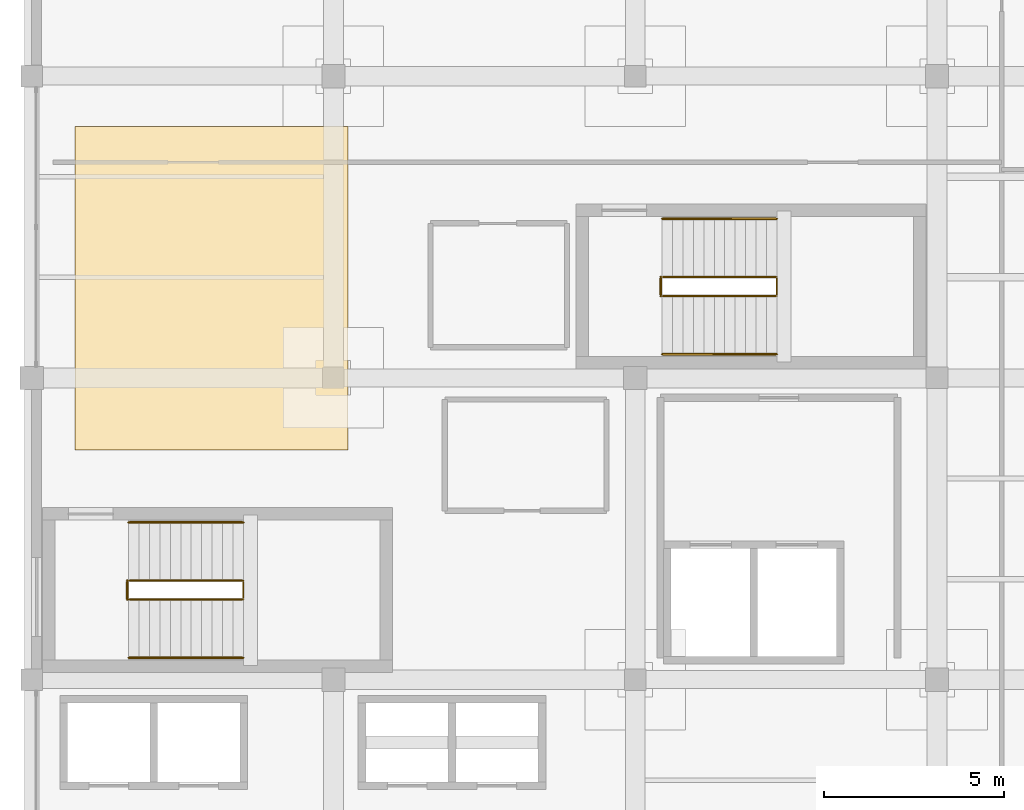
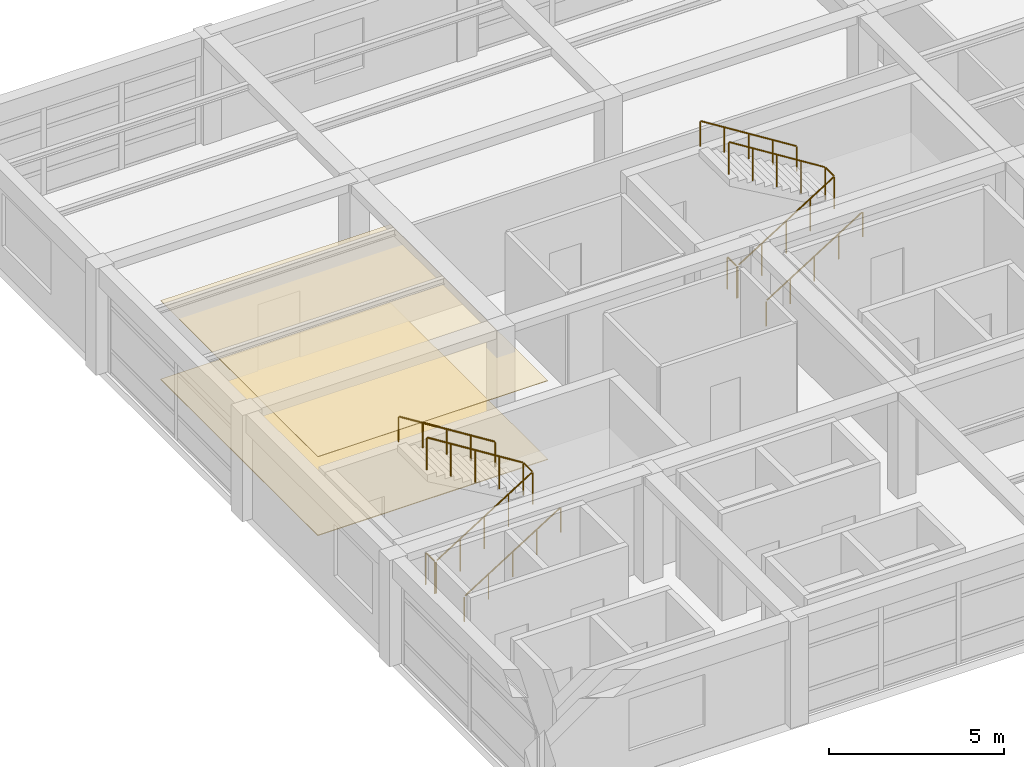
# One storey, part 26 of 26: 8 railings, 2 coverings.
"""IFC4 building model written with IfcOpenShell, lengths in metres."""

from ifc_helpers import new_model, si_unit, direction, frame, origin, origin_2d, place, context, subcontext, project, spatial, polyline, circle, outline, extrude, material, layer, layer_set, type_object, element, save


model = new_model("IFC4")

# Units and contexts
model_context = context("Model", 3, precision=1e-05, world=origin(), true_north=direction((0.0, 1.0)))
body_context = subcontext(model_context, "Body", "Model", "MODEL_VIEW")
ifc_project = project(units=[si_unit("LENGTHUNIT", "METRE"), si_unit("AREAUNIT", "SQUARE_METRE"), si_unit("VOLUMEUNIT", "CUBIC_METRE"), si_unit("PLANEANGLEUNIT", "RADIAN"), si_unit("MASSUNIT", "GRAM", prefix="KILO")], contexts=[model_context])

# Site, building, storey
site_placement = place(None, origin())
site = spatial("IfcSite", under=ifc_project, at=site_placement, CompositionType="ELEMENT")
building_placement = place(site_placement, origin())
building = spatial("IfcBuilding", under=site, at=building_placement, Name="Almacenes y Pasaje Nevantli", CompositionType="ELEMENT")
storey_placement = place(building_placement, frame((0.0, 0.0, 46.699951171875)))
storey = spatial("IfcBuildingStorey", under=building, at=storey_placement, Name="L11", CompositionType="ELEMENT", Elevation=46.699951171875)

# Coverings
ifc_material_1 = material(Name="Perforated Acoustic Mineral Fiber Ceiling", Category="gypsum")
ifc_layer_1 = layer(ifc_material_1, 0.02001953125)
ifc_layer_set_1 = layer_set([ifc_layer_1], Name="Perforated Acoustic Mineral Fiber Ceiling")
covering_type_1 = type_object("IfcCoveringType", Name="COV-CEIL-ACU", PredefinedType="CEILING", material=ifc_layer_set_1)
covering_1_placement = place(storey_placement, frame((0.0, 0.0, 2.75)))
element("IfcCovering", 1, at=covering_1_placement, inside=storey, type_object=covering_type_1, Name="L11 Suspended Acoustic Ceiling Panel", PredefinedType="CEILING", context=body_context, shape_type="SweptSolid", body=[
    extrude(outline(polyline([(118.800048828125, 82.0), (126.39990234375, 82.0), (126.39990234375, 91.0), (118.800048828125, 91.0), (118.800048828125, 82.0)])), origin(), (0.0, 0.0, 1.0), 0.02001953125),
])
ifc_material_2 = material(Name="Polished Toluca Stone Terrazzo Flooring", Category="masonry")
ifc_layer_2 = layer(ifc_material_2, 0.02490234375)
ifc_layer_set_2 = layer_set([ifc_layer_2], Name="Polished Toluca Stone Terrazzo Flooring")
covering_type_2 = type_object("IfcCoveringType", Name="COV-FLR-TERRAZZO", PredefinedType="FLOORING", material=ifc_layer_set_2)
covering_2_placement = place(storey_placement, origin())
element("IfcCovering", 2, at=covering_2_placement, inside=storey, type_object=covering_type_2, Name="L11 Polished Stone Terrazzo Floor Finish", PredefinedType="FLOORING", context=body_context, shape_type="SweptSolid", body=[
    extrude(outline(polyline([(118.800048828125, 82.0), (126.39990234375, 82.0), (126.39990234375, 91.0), (118.800048828125, 91.0), (118.800048828125, 82.0)])), origin(), (0.0, 0.0, 1.0), 0.025146484375),
])

# Railings
ifc_material_3 = material(Name="Brushed Stainless Steel and Tempered Safety Glass", Category="steel")
railing_type_1 = type_object("IfcRailingType", Name="RL-GUARD-1100", PredefinedType="BALUSTRADE", material=ifc_material_3)
railing_1_placement = place(storey_placement, frame((120.300048828125, 77.830078125, 0.0)))
element("IfcRailing", 3, at=railing_1_placement, inside=storey, type_object=railing_type_1, Name="L11 Stair ST-01 Inner Well Guard Balustrade", PredefinedType="BALUSTRADE", context=body_context, shape_type="SweptSolid", body=[
    extrude(circle(Radius=0.02392578125, at=origin_2d()), frame((0.025390625, 0.0, 1.141845703125), z_axis=(0.847247016309, 0.0, 0.531199108955), x_axis=(0.0, 1.0, 0.0)), (0.0, 0.0, 1.0), 3.705078125),
    extrude(circle(Radius=0.02392578125, at=origin_2d()), frame((3.18994140625, 0.030029296875, 3.1259765625), z_axis=(0.0, 1.0, 0.0), x_axis=(-1.0, 0.0, 0.0)), (0.0, 0.0, 1.0), 0.469970703125),
    extrude(circle(Radius=0.02392578125, at=origin_2d()), frame((3.16455078125, 0.530029296875, 3.141845703125), z_axis=(-0.847247016309, 0.0, 0.531199108955), x_axis=(0.0, -1.0, 0.0)), (0.0, 0.0, 1.0), 3.705078125),
    extrude(circle(Radius=0.02099609375, at=origin_2d()), origin(), (0.0, 0.0, 1.0), 1.096923828125),
    extrude(circle(Radius=0.02099609375, at=origin_2d()), frame((0.79736328125, 0.0, 0.5)), (0.0, 0.0, 1.0), 1.096923828125),
    extrude(circle(Radius=0.02099609375, at=origin_2d()), frame((1.594970703125, 0.0, 1.0)), (0.0, 0.0, 1.0), 1.096923828125),
    extrude(circle(Radius=0.02099609375, at=origin_2d()), frame((2.392578125, 0.0, 1.5)), (0.0, 0.0, 1.0), 1.096923828125),
    extrude(circle(Radius=0.02099609375, at=origin_2d()), frame((3.18994140625, 0.0, 2.0)), (0.0, 0.0, 1.0), 1.096923828125),
    extrude(circle(Radius=0.02099609375, at=origin_2d()), frame((3.18994140625, 0.530029296875, 2.0)), (0.0, 0.0, 1.0), 1.096923828125),
    extrude(circle(Radius=0.02099609375, at=origin_2d()), frame((2.392578125, 0.530029296875, 2.5)), (0.0, 0.0, 1.0), 1.096923828125),
    extrude(circle(Radius=0.02099609375, at=origin_2d()), frame((1.594970703125, 0.530029296875, 3.0)), (0.0, 0.0, 1.0), 1.096923828125),
    extrude(circle(Radius=0.02099609375, at=origin_2d()), frame((0.79736328125, 0.530029296875, 3.5)), (0.0, 0.0, 1.0), 1.096923828125),
    extrude(circle(Radius=0.02099609375, at=origin_2d()), frame((0.0, 0.530029296875, 4.0)), (0.0, 0.0, 1.0), 1.096923828125),
])
railing_2_placement = place(storey_placement, frame((120.260009765625, 77.830078125, 0.0)))
element("IfcRailing", 4, at=railing_2_placement, inside=storey, type_object=railing_type_1, Name="L11 Stair ST-01 Landing Well Slot Guard", PredefinedType="BALUSTRADE", context=body_context, shape_type="SweptSolid", body=[
    extrude(circle(Radius=0.02392578125, at=origin_2d()), frame((0.0, 0.030029296875, 1.1259765625), z_axis=(0.0, 1.0, 0.0), x_axis=(-1.0, 0.0, 0.0)), (0.0, 0.0, 1.0), 0.469970703125),
    extrude(circle(Radius=0.02099609375, at=origin_2d()), origin(), (0.0, 0.0, 1.0), 1.096923828125),
    extrude(circle(Radius=0.02099609375, at=origin_2d()), frame((0.0, 0.530029296875, 0.0)), (0.0, 0.0, 1.0), 1.096923828125),
])
railing_3_placement = place(storey_placement, frame((135.14990234375, 86.280029296875, 0.0)))
element("IfcRailing", 5, at=railing_3_placement, inside=storey, type_object=railing_type_1, Name="L11 Stair ST-02 Inner Well Guard Balustrade", PredefinedType="BALUSTRADE", context=body_context, shape_type="SweptSolid", body=[
    extrude(circle(Radius=0.02392578125, at=origin_2d()), frame((0.025390625, 0.0, 1.141845703125), z_axis=(0.847265311894, 0.0, 0.531169926918), x_axis=(0.0, 1.0, 0.0)), (0.0, 0.0, 1.0), 3.705322265625),
    extrude(circle(Radius=0.02392578125, at=origin_2d()), frame((3.190185546875, 0.030029296875, 3.1259765625), z_axis=(0.0, 1.0, 0.0), x_axis=(-1.0, 0.0, 0.0)), (0.0, 0.0, 1.0), 0.469970703125),
    extrude(circle(Radius=0.02392578125, at=origin_2d()), frame((3.164794921875, 0.530029296875, 3.141845703125), z_axis=(-0.847265311894, 0.0, 0.531169926918), x_axis=(0.0, -1.0, 0.0)), (0.0, 0.0, 1.0), 3.705322265625),
    extrude(circle(Radius=0.02099609375, at=origin_2d()), origin(), (0.0, 0.0, 1.0), 1.096923828125),
    extrude(circle(Radius=0.02099609375, at=origin_2d()), frame((0.797607421875, 0.0, 0.5)), (0.0, 0.0, 1.0), 1.096923828125),
    extrude(circle(Radius=0.02099609375, at=origin_2d()), frame((1.59521484375, 0.0, 1.0)), (0.0, 0.0, 1.0), 1.096923828125),
    extrude(circle(Radius=0.02099609375, at=origin_2d()), frame((2.392578125, 0.0, 1.5)), (0.0, 0.0, 1.0), 1.096923828125),
    extrude(circle(Radius=0.02099609375, at=origin_2d()), frame((3.190185546875, 0.0, 2.0)), (0.0, 0.0, 1.0), 1.096923828125),
    extrude(circle(Radius=0.02099609375, at=origin_2d()), frame((3.190185546875, 0.530029296875, 2.0)), (0.0, 0.0, 1.0), 1.096923828125),
    extrude(circle(Radius=0.02099609375, at=origin_2d()), frame((2.392578125, 0.530029296875, 2.5)), (0.0, 0.0, 1.0), 1.096923828125),
    extrude(circle(Radius=0.02099609375, at=origin_2d()), frame((1.59521484375, 0.530029296875, 3.0)), (0.0, 0.0, 1.0), 1.096923828125),
    extrude(circle(Radius=0.02099609375, at=origin_2d()), frame((0.797607421875, 0.530029296875, 3.5)), (0.0, 0.0, 1.0), 1.096923828125),
    extrude(circle(Radius=0.02099609375, at=origin_2d()), frame((0.0, 0.530029296875, 4.0)), (0.0, 0.0, 1.0), 1.096923828125),
])
railing_4_placement = place(storey_placement, frame((135.110107421875, 86.280029296875, 0.0)))
element("IfcRailing", 6, at=railing_4_placement, inside=storey, type_object=railing_type_1, Name="L11 Stair ST-02 Landing Well Slot Guard", PredefinedType="BALUSTRADE", context=body_context, shape_type="SweptSolid", body=[
    extrude(circle(Radius=0.02392578125, at=origin_2d()), frame((0.0, 0.030029296875, 1.1259765625), z_axis=(0.0, 1.0, 0.0), x_axis=(-1.0, 0.0, 0.0)), (0.0, 0.0, 1.0), 0.469970703125),
    extrude(circle(Radius=0.02099609375, at=origin_2d()), origin(), (0.0, 0.0, 1.0), 1.096923828125),
    extrude(circle(Radius=0.02099609375, at=origin_2d()), frame((0.0, 0.530029296875, 0.0)), (0.0, 0.0, 1.0), 1.096923828125),
])
ifc_material_4 = material(Name="Brushed Stainless Steel Tube", Category="steel")
railing_type_2 = type_object("IfcRailingType", Name="RL-HANDRAIL-900", PredefinedType="HANDRAIL", material=ifc_material_4)
railing_5_placement = place(storey_placement, frame((120.300048828125, 76.2099609375, 0.0)))
element("IfcRailing", 7, at=railing_5_placement, inside=storey, type_object=railing_type_2, Name="L11 Stair ST-01 Lower Flight Handrail", PredefinedType="HANDRAIL", context=body_context, shape_type="SweptSolid", body=[
    extrude(circle(Radius=0.02392578125, at=origin_2d()), frame((0.025390625, 0.0, 0.891845703125), z_axis=(0.847247016309, 0.0, 0.531199108955), x_axis=(0.0, 1.0, 0.0)), (0.0, 0.0, 1.0), 3.705078125),
    extrude(circle(Radius=0.02099609375, at=origin_2d()), origin(), (0.0, 0.0, 1.0), 0.846923828125),
    extrude(circle(Radius=0.02099609375, at=origin_2d()), frame((0.79736328125, 0.0, 0.5)), (0.0, 0.0, 1.0), 0.846923828125),
    extrude(circle(Radius=0.02099609375, at=origin_2d()), frame((1.594970703125, 0.0, 1.0)), (0.0, 0.0, 1.0), 0.846923828125),
    extrude(circle(Radius=0.02099609375, at=origin_2d()), frame((2.392578125, 0.0, 1.5)), (0.0, 0.0, 1.0), 0.846923828125),
    extrude(circle(Radius=0.02099609375, at=origin_2d()), frame((3.18994140625, 0.0, 2.0)), (0.0, 0.0, 1.0), 0.846923828125),
])
railing_6_placement = place(storey_placement, frame((123.489990234375, 79.97998046875, 2.0)))
element("IfcRailing", 8, at=railing_6_placement, inside=storey, type_object=railing_type_2, Name="L11 Stair ST-01 Upper Flight Handrail", PredefinedType="HANDRAIL", context=body_context, shape_type="SweptSolid", body=[
    extrude(circle(Radius=0.02392578125, at=origin_2d()), frame((-0.025390625, 0.0, 0.891845703125), z_axis=(-0.847247016309, 0.0, 0.531199108955), x_axis=(0.0, -1.0, 0.0)), (0.0, 0.0, 1.0), 3.705078125),
    extrude(circle(Radius=0.02099609375, at=origin_2d()), origin(), (0.0, 0.0, 1.0), 0.846923828125),
    extrude(circle(Radius=0.02099609375, at=origin_2d()), frame((-0.79736328125, 0.0, 0.5)), (0.0, 0.0, 1.0), 0.846923828125),
    extrude(circle(Radius=0.02099609375, at=origin_2d()), frame((-1.594970703125, 0.0, 1.0)), (0.0, 0.0, 1.0), 0.846923828125),
    extrude(circle(Radius=0.02099609375, at=origin_2d()), frame((-2.392578125, 0.0, 1.5)), (0.0, 0.0, 1.0), 0.846923828125),
    extrude(circle(Radius=0.02099609375, at=origin_2d()), frame((-3.18994140625, 0.0, 2.0)), (0.0, 0.0, 1.0), 0.846923828125),
])
railing_7_placement = place(storey_placement, frame((135.14990234375, 84.659912109375, 0.0)))
element("IfcRailing", 9, at=railing_7_placement, inside=storey, type_object=railing_type_2, Name="L11 Stair ST-02 Lower Flight Handrail", PredefinedType="HANDRAIL", context=body_context, shape_type="SweptSolid", body=[
    extrude(circle(Radius=0.02392578125, at=origin_2d()), frame((0.025390625, 0.0, 0.891845703125), z_axis=(0.847265311894, 0.0, 0.531169926918), x_axis=(0.0, 1.0, 0.0)), (0.0, 0.0, 1.0), 3.705322265625),
    extrude(circle(Radius=0.02099609375, at=origin_2d()), origin(), (0.0, 0.0, 1.0), 0.846923828125),
    extrude(circle(Radius=0.02099609375, at=origin_2d()), frame((0.797607421875, 0.0, 0.5)), (0.0, 0.0, 1.0), 0.846923828125),
    extrude(circle(Radius=0.02099609375, at=origin_2d()), frame((1.59521484375, 0.0, 1.0)), (0.0, 0.0, 1.0), 0.846923828125),
    extrude(circle(Radius=0.02099609375, at=origin_2d()), frame((2.392578125, 0.0, 1.5)), (0.0, 0.0, 1.0), 0.846923828125),
    extrude(circle(Radius=0.02099609375, at=origin_2d()), frame((3.190185546875, 0.0, 2.0)), (0.0, 0.0, 1.0), 0.846923828125),
])
railing_8_placement = place(storey_placement, frame((138.340087890625, 88.429931640625, 2.0)))
element("IfcRailing", 10, at=railing_8_placement, inside=storey, type_object=railing_type_2, Name="L11 Stair ST-02 Upper Flight Handrail", PredefinedType="HANDRAIL", context=body_context, shape_type="SweptSolid", body=[
    extrude(circle(Radius=0.02392578125, at=origin_2d()), frame((-0.025390625, 0.0, 0.891845703125), z_axis=(-0.847265311894, 0.0, 0.531169926918), x_axis=(0.0, -1.0, 0.0)), (0.0, 0.0, 1.0), 3.705322265625),
    extrude(circle(Radius=0.02099609375, at=origin_2d()), origin(), (0.0, 0.0, 1.0), 0.846923828125),
    extrude(circle(Radius=0.02099609375, at=origin_2d()), frame((-0.797607421875, 0.0, 0.5)), (0.0, 0.0, 1.0), 0.846923828125),
    extrude(circle(Radius=0.02099609375, at=origin_2d()), frame((-1.59521484375, 0.0, 1.0)), (0.0, 0.0, 1.0), 0.846923828125),
    extrude(circle(Radius=0.02099609375, at=origin_2d()), frame((-2.392578125, 0.0, 1.5)), (0.0, 0.0, 1.0), 0.846923828125),
    extrude(circle(Radius=0.02099609375, at=origin_2d()), frame((-3.190185546875, 0.0, 2.0)), (0.0, 0.0, 1.0), 0.846923828125),
])

save(model, "model.ifc")
